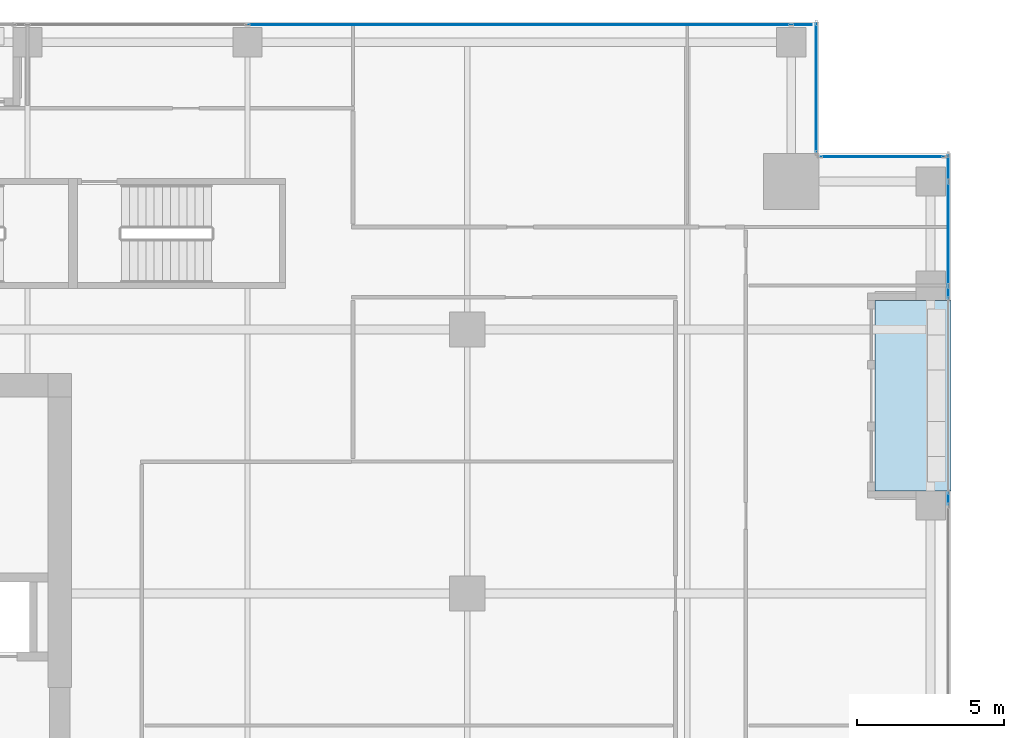
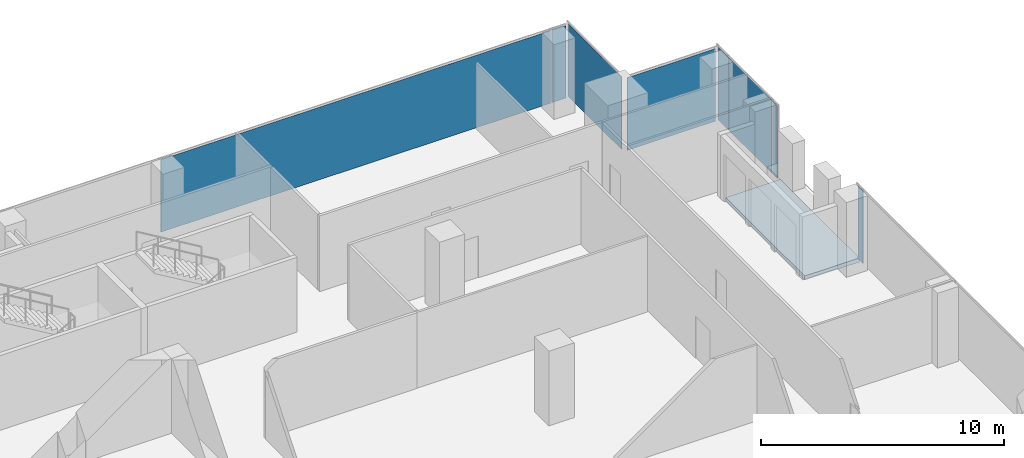
# One storey, part 33 of 40: 8 plates, 1 slab, 5 elements without a shape of their own.
"""IFC4 building model written with IfcOpenShell, lengths in metres."""

import ifcopenshell
import ifcopenshell.guid

model = None  # the IFC model being written
_history = None  # IfcOwnerHistory: only IFC2X3 demands one
_inside = {}  # id of a spatial element -> (the spatial element, [elements in it])
_under = {}  # id of a project, library or spatial element -> (it, [spatial elements below it])
_declared = {}  # id of a project -> (the project, [libraries it declares])
_typed = {}  # id of a type object -> (the type object, [elements of that type])
_made_of = {}  # id of a material, layer set ... -> (it, [elements and type objects made of it])


def new_model(schema):
    """Start an empty IFC model of exactly this schema.

    Asked for "IFC4X3", IfcOpenShell would pick the latest addendum, in which some entities
    have other attributes; the version numbers below select the first issue.
    IFC2X3 requires an IfcOwnerHistory on every rooted entity: one is made here for all.
    """
    global model, _history
    if schema == "IFC4X3":
        model = ifcopenshell.file(schema_version=(4, 3, 0, 0))
    else:
        model = ifcopenshell.file(schema=schema)
    _inside.clear()
    _under.clear()
    _declared.clear()
    _typed.clear()
    _made_of.clear()
    _history = None
    if model.schema == "IFC2X3":
        org = make("IfcOrganization", Name="unknown")
        user = make(
            "IfcPersonAndOrganization",
            ThePerson=make("IfcPerson", FamilyName="unknown"),
            TheOrganization=org,
        )
        app = make(
            "IfcApplication",
            ApplicationDeveloper=org,
            Version="unknown",
            ApplicationFullName="unknown",
            ApplicationIdentifier="unknown",
        )
        _history = make(
            "IfcOwnerHistory",
            OwningUser=user,
            OwningApplication=app,
            ChangeAction="ADDED",
            CreationDate=0,
        )
    return model


def make(cls, **values):
    """One entity of the class cls with the attributes given. An attribute that is None is left unset."""
    return model.create_entity(
        cls, **{name: value for name, value in values.items() if value is not None}
    )


def rooted(cls, **values):
    """An entity with a GlobalId (a new one), such as an element, a storey or a relation."""
    return make(cls, GlobalId=ifcopenshell.guid.new(), OwnerHistory=_history, **values)


def si_unit(unit_type, name, prefix=None):
    """IfcSIUnit, for example si_unit("LENGTHUNIT", "METRE", prefix="MILLI")."""
    return make("IfcSIUnit", UnitType=unit_type, Prefix=prefix, Name=name)


def assignment(units):
    """IfcUnitAssignment: the units of a project."""
    return None if units is None else make("IfcUnitAssignment", Units=units)


def point(xyz):
    """IfcCartesianPoint."""
    return None if xyz is None else make("IfcCartesianPoint", Coordinates=xyz)


def direction(xyz):
    """IfcDirection."""
    return None if xyz is None else make("IfcDirection", DirectionRatios=xyz)


def frame(location, z_axis=None, x_axis=None):
    """IfcAxis2Placement3D, a coordinate frame: its origin and axes. An axis left out is left unset."""
    return make(
        "IfcAxis2Placement3D",
        Location=point(location),
        Axis=direction(z_axis),
        RefDirection=direction(x_axis),
    )


def frame_2d(location, x_axis=None):
    """IfcAxis2Placement2D, a coordinate frame in the plane: its origin and x axis."""
    return make(
        "IfcAxis2Placement2D", Location=point(location), RefDirection=direction(x_axis)
    )


def origin():
    """The frame at (0, 0, 0) with its axes left unset."""
    return frame((0.0, 0.0, 0.0))


def origin_2d():
    """The frame at (0, 0) in the plane with its x axis left unset."""
    return frame_2d((0.0, 0.0))


def place(relative_to, where):
    """IfcLocalPlacement: puts the frame where relative to a parent placement (None: the world)."""
    return make(
        "IfcLocalPlacement", PlacementRelTo=relative_to, RelativePlacement=where
    )


def context(
    kind, dimensions, precision=None, world=None, true_north=None, identifier=None
):
    """IfcGeometricRepresentationContext, for example the 3D "Model" context."""
    return make(
        "IfcGeometricRepresentationContext",
        ContextIdentifier=identifier,
        ContextType=kind,
        CoordinateSpaceDimension=dimensions,
        Precision=precision,
        WorldCoordinateSystem=world,
        TrueNorth=true_north,
    )


def subcontext(parent, identifier, kind, view, scale=None):
    """IfcGeometricRepresentationSubContext, for example "Body" below "Model"."""
    return make(
        "IfcGeometricRepresentationSubContext",
        ContextIdentifier=identifier,
        ContextType=kind,
        ParentContext=parent,
        TargetScale=scale,
        TargetView=view,
    )


def project(units=None, contexts=None):
    """IfcProject with its units and contexts."""
    return rooted(
        "IfcProject",
        Name="project",
        RepresentationContexts=contexts,
        UnitsInContext=assignment(units),
    )


def spatial(cls, under=None, at=None, **own):
    """A site, building, storey or space (cls), placed at a placement, below another one or the project."""
    s = rooted(cls, ObjectPlacement=at, **own)
    if under is not None:
        _under.setdefault(under.id(), (under, []))[1].append(s)
    return s


def polyline(points):
    """IfcPolyline through the points."""
    return make("IfcPolyline", Points=[point(p) for p in points])


def profile(cls, at=None, kind="AREA", **sizes):
    """A parametric profile (cls). Its sizes go by their IFC names, for example OverallWidth=200.0."""
    return make(cls, ProfileType=kind, Position=at, **sizes)


def rectangle(**sizes):
    """IfcRectangleProfileDef."""
    return profile("IfcRectangleProfileDef", **sizes)


def outline(outer, holes=None, kind="AREA"):
    """IfcArbitraryClosedProfileDef: a profile drawn as a closed curve; with holes, ...WithVoids."""
    if holes is None:
        return make("IfcArbitraryClosedProfileDef", ProfileType=kind, OuterCurve=outer)
    return make(
        "IfcArbitraryProfileDefWithVoids",
        ProfileType=kind,
        OuterCurve=outer,
        InnerCurves=holes,
    )


def extrude(swept, where, along, depth):
    """IfcExtrudedAreaSolid: the profile swept, set in the frame where, extruded along a direction by depth."""
    return make(
        "IfcExtrudedAreaSolid",
        SweptArea=swept,
        Position=where,
        ExtrudedDirection=direction(along),
        Depth=depth,
    )


def shape(context_of_items, identifier, shape_type, items):
    """IfcShapeRepresentation: the items that make up one representation, for example the "Body"."""
    return make(
        "IfcShapeRepresentation",
        ContextOfItems=context_of_items,
        RepresentationIdentifier=identifier,
        RepresentationType=shape_type,
        Items=items,
    )


def source(mapping_origin, context_of_items, identifier, shape_type, items):
    """IfcRepresentationMap: a shape defined once, which mapped items show again and again."""
    return make(
        "IfcRepresentationMap",
        MappingOrigin=mapping_origin,
        MappedRepresentation=shape(context_of_items, identifier, shape_type, items),
    )


def transform(
    local_origin,
    x_axis=None,
    y_axis=None,
    z_axis=None,
    scale=None,
    scale2=None,
    scale3=None,
    uniform=True,
):
    """IfcCartesianTransformationOperator3D, or its non-uniform kind. x_axis, y_axis, z_axis: its Axis1, 2, 3."""
    if uniform:
        return make(
            "IfcCartesianTransformationOperator3D",
            Axis1=direction(x_axis),
            Axis2=direction(y_axis),
            LocalOrigin=point(local_origin),
            Scale=scale,
            Axis3=direction(z_axis),
        )
    return make(
        "IfcCartesianTransformationOperator3DnonUniform",
        Axis1=direction(x_axis),
        Axis2=direction(y_axis),
        LocalOrigin=point(local_origin),
        Scale=scale,
        Axis3=direction(z_axis),
        Scale2=scale2,
        Scale3=scale3,
    )


def mapped(mapping_source, mapping_target):
    """IfcMappedItem: shows the shape of a source again, moved by a transform."""
    return make(
        "IfcMappedItem", MappingSource=mapping_source, MappingTarget=mapping_target
    )


def material(Name=None, Category=None):
    """IfcMaterial."""
    return make("IfcMaterial", Name=Name, Category=Category)


def layer(
    of_material, thickness, ventilated=None, Name=None, Category=None, Priority=None
):
    """IfcMaterialLayer: one layer of a wall or slab, of a material (None: an air gap)."""
    return make(
        "IfcMaterialLayer",
        Material=of_material,
        LayerThickness=thickness,
        IsVentilated=ventilated,
        Name=Name,
        Category=Category,
        Priority=Priority,
    )


def layer_set(layers, Name=None):
    """IfcMaterialLayerSet."""
    return make("IfcMaterialLayerSet", MaterialLayers=layers, LayerSetName=Name)


def made_of(thing, what):
    """Note that an element or type object is made of a material, layer set ...; save() writes the relation."""
    if what is not None:
        _made_of.setdefault(what.id(), (what, []))[1].append(thing)
    return thing


def type_object(cls, material=None, **own):
    """A type object (cls), such as IfcWallType, which elements share."""
    return made_of(rooted(cls, **own), material)


def element(
    cls,
    number,
    at=None,
    inside=None,
    cuts=None,
    type_object=None,
    material=None,
    context=None,
    identifier="Body",
    shape_type=None,
    held_by="IfcProductDefinitionShape",
    body=None,
    shapes=None,
    **own,
):
    """One element of the class cls, such as IfcWall. Its Tag is "e" and its number.

    at: its placement. inside: the storey or other place that contains it. cuts: it is an
    opening in that element (IfcRelVoidsElement). A single representation is given by context,
    identifier, shape_type and body (its items); several are given by shapes. held_by: the class
    of the entity that holds the representations. save() writes the other relations.
    """
    e = rooted(cls, Tag="e%d" % number, ObjectPlacement=at, **own)
    if body is not None:
        shapes = [shape(context, identifier, shape_type, body)]
    if shapes is not None:
        e.Representation = make(held_by, Representations=shapes)
    if inside is not None:
        _inside.setdefault(inside.id(), (inside, []))[1].append(e)
    if cuts is not None:
        rooted(
            "IfcRelVoidsElement", RelatingBuildingElement=cuts, RelatedOpeningElement=e
        )
    if type_object is not None:
        _typed.setdefault(type_object.id(), (type_object, []))[1].append(e)
    return made_of(e, material)


def aggregate(whole, parts):
    """IfcRelAggregates: a whole, such as a stair, and the parts it consists of."""
    return rooted("IfcRelAggregates", RelatingObject=whole, RelatedObjects=parts)


def save(model, path):
    """Write the relations noted so far, then the file.

    IfcRelAggregates (storeys below a building ...), IfcRelContainedInSpatialStructure (elements
    in a storey), IfcRelDefinesByType, IfcRelAssociatesMaterial and IfcRelDeclares: one each for
    every whole, place, type object, material and project.
    """
    for whole, parts in _under.values():
        aggregate(whole, parts)
    for where, things in _inside.values():
        rooted(
            "IfcRelContainedInSpatialStructure",
            RelatedElements=things,
            RelatingStructure=where,
        )
    for kind, things in _typed.values():
        rooted("IfcRelDefinesByType", RelatedObjects=things, RelatingType=kind)
    for what, things in _made_of.values():
        rooted("IfcRelAssociatesMaterial", RelatedObjects=things, RelatingMaterial=what)
    for by, libraries in _declared.values():
        rooted("IfcRelDeclares", RelatingContext=by, RelatedDefinitions=libraries)
    model.write(path)


model = new_model("IFC4")

# Units and contexts
model_context = context("Model", 3, precision=1e-05, world=origin(), true_north=direction((0.0, 1.0)))
body_context = subcontext(model_context, "Body", "Model", "MODEL_VIEW")
ifc_project = project(units=[si_unit("LENGTHUNIT", "METRE"), si_unit("AREAUNIT", "SQUARE_METRE"), si_unit("VOLUMEUNIT", "CUBIC_METRE"), si_unit("PLANEANGLEUNIT", "RADIAN"), si_unit("MASSUNIT", "GRAM", prefix="KILO")], contexts=[model_context])

# Site, building, storey
site_placement = place(None, origin())
site = spatial("IfcSite", under=ifc_project, at=site_placement, CompositionType="ELEMENT")
building_placement = place(site_placement, origin())
building = spatial("IfcBuilding", under=site, at=building_placement, Name="Khomas Fold Tower", CompositionType="ELEMENT")
storey_placement = place(building_placement, frame((0.0, 0.0, 192.699951171875)))
storey = spatial("IfcBuildingStorey", under=building, at=storey_placement, Name="L42", CompositionType="ELEMENT", Elevation=192.699951171875)

# Curtain wall, plate
ifc_material_1 = material(Name="Aluminium framed double glazing", Category="aluminium")
curtain_wall_type = type_object("IfcCurtainWallType", Name="SK-Unitised clear-glass wall, office floors CW2", PredefinedType="NOTDEFINED", material=ifc_material_1)
curtain_wall_1_placement = place(storey_placement, origin())
curtain_wall_1 = element("IfcCurtainWall", 1, at=curtain_wall_1_placement, inside=storey, type_object=curtain_wall_type, Name="CW2 corner return L42 05", PredefinedType="NOTDEFINED")
ifc_material_2 = material(Name="Clear double glazed unit")
ifc_layer_1 = layer(ifc_material_2, 0.030029296875)
ifc_layer_set_1 = layer_set([ifc_layer_1], Name="Clear double glazed unit")
plate_type = type_object("IfcPlateType", Name="SK-Unitised clear-glass wall, office floors glass panel CW2-P", PredefinedType="CURTAIN_PANEL", material=ifc_layer_set_1)
shared_shape_1 = source(origin(), body_context, "Body", "SweptSolid", [
    extrude(rectangle(XDim=4.3798828125, YDim=0.030029296875, at=origin_2d()), origin(), (0.0, 0.0, 1.0), 3.639892578125),
])
plate_1_placement = place(storey_placement, frame((46.39990234375, 48.75, 0.0), z_axis=(0.0, 0.0, 1.0), x_axis=(0.0, 1.0, 0.0)))
plate_1 = element("IfcPlate", 2, at=plate_1_placement, type_object=plate_type, Name="CW2 glass panel 1", PredefinedType="CURTAIN_PANEL", context=body_context, shape_type="MappedRepresentation", body=[
    mapped(shared_shape_1, transform((0.0, 0.0, 0.0))),
])
aggregate(curtain_wall_1, [plate_1])

curtain_wall_2_placement = place(storey_placement, origin())
curtain_wall_2 = element("IfcCurtainWall", 3, at=curtain_wall_2_placement, inside=storey, type_object=curtain_wall_type, Name="CW2 run L42 06-0", PredefinedType="NOTDEFINED")
shared_shape_2 = source(origin(), body_context, "Body", "SweptSolid", [
    extrude(rectangle(XDim=0.659912109375, YDim=0.030029296875, at=origin_2d()), origin(), (0.0, 0.0, 1.0), 3.639892578125),
])
plate_2_placement = place(storey_placement, frame((45.909912109375, 50.89990234375, 0.0), z_axis=(0.0, 0.0, 1.0), x_axis=(-1.0, 0.0, 0.0)))
plate_2 = element("IfcPlate", 4, at=plate_2_placement, type_object=plate_type, Name="CW2 glass panel 1", PredefinedType="CURTAIN_PANEL", context=body_context, shape_type="MappedRepresentation", body=[
    mapped(shared_shape_2, transform((0.0, 0.0, 0.0))),
])

curtain_wall_3_placement = place(storey_placement, origin())
curtain_wall_3 = element("IfcCurtainWall", 5, at=curtain_wall_3_placement, inside=storey, type_object=curtain_wall_type, Name="CW2 run L42 03-1", PredefinedType="NOTDEFINED")
shared_shape_3 = source(origin(), body_context, "Body", "SweptSolid", [
    extrude(rectangle(XDim=3.489990234375, YDim=0.030029296875, at=origin_2d()), origin(), (0.0, 0.0, 1.0), 3.639892578125),
])
plate_3_placement = place(storey_placement, frame((50.89990234375, 43.77490234375, 0.0), z_axis=(0.0, 0.0, 1.0), x_axis=(0.0, 1.0, 0.0)))
plate_3 = element("IfcPlate", 6, at=plate_3_placement, type_object=plate_type, Name="CW2 glass panel 2", PredefinedType="CURTAIN_PANEL", context=body_context, shape_type="MappedRepresentation", body=[
    mapped(shared_shape_3, transform((0.0, 0.0, 0.0))),
])

curtain_wall_4_placement = place(storey_placement, origin())
curtain_wall_4 = element("IfcCurtainWall", 7, at=curtain_wall_4_placement, inside=storey, type_object=curtain_wall_type, Name="CW2 corner return L42 04", PredefinedType="NOTDEFINED")
shared_shape_4 = source(origin(), body_context, "Body", "SweptSolid", [
    extrude(rectangle(XDim=4.179931640625, YDim=0.030029296875, at=origin_2d()), origin(), (0.0, 0.0, 1.0), 3.639892578125),
])
plate_4_placement = place(storey_placement, frame((48.64990234375, 46.39990234375, 0.0), z_axis=(0.0, 0.0, 1.0), x_axis=(-1.0, 0.0, 0.0)))
plate_4 = element("IfcPlate", 8, at=plate_4_placement, type_object=plate_type, Name="CW2 glass panel 1", PredefinedType="CURTAIN_PANEL", context=body_context, shape_type="MappedRepresentation", body=[
    mapped(shared_shape_4, transform((0.0, 0.0, 0.0))),
])
aggregate(curtain_wall_4, [plate_4])

curtain_wall_5_placement = place(storey_placement, origin())
curtain_wall_5 = element("IfcCurtainWall", 9, at=curtain_wall_5_placement, inside=storey, type_object=curtain_wall_type, Name="CW2 run L42 03-0", PredefinedType="NOTDEFINED")
shared_shape_5 = source(origin(), body_context, "Body", "SweptSolid", [
    extrude(rectangle(XDim=0.409912109375, YDim=0.030029296875, at=origin_2d()), origin(), (0.0, 0.0, 1.0), 3.639892578125),
])
plate_5_placement = place(storey_placement, frame((50.89990234375, 34.735107421875, 0.0), z_axis=(0.0, 0.0, 1.0), x_axis=(0.0, 1.0, 0.0)))
plate_5 = element("IfcPlate", 10, at=plate_5_placement, type_object=plate_type, Name="CW2 glass panel 6", PredefinedType="CURTAIN_PANEL", context=body_context, shape_type="MappedRepresentation", body=[
    mapped(shared_shape_5, transform((0.0, 0.0, 0.0))),
])
aggregate(curtain_wall_5, [plate_5])

# Plate
plate_6_placement = place(storey_placement, frame((50.89990234375, 41.764892578125, 0.0), z_axis=(0.0, 0.0, 1.0), x_axis=(0.0, 1.0, 0.0)))
plate_6 = element("IfcPlate", 11, at=plate_6_placement, type_object=plate_type, Name="CW2 glass panel 1", PredefinedType="CURTAIN_PANEL", context=body_context, shape_type="MappedRepresentation", body=[
    mapped(shared_shape_5, transform((0.0, 0.0, 0.0))),
])

shared_shape_6 = source(origin(), body_context, "Body", "SweptSolid", [
    extrude(rectangle(XDim=0.860107421875, YDim=0.030029296875, at=origin_2d()), origin(), (0.0, 0.0, 1.0), 3.639892578125),
])
plate_7_placement = place(storey_placement, frame((50.89990234375, 46.010009765625, 0.0), z_axis=(0.0, 0.0, 1.0), x_axis=(0.0, 1.0, 0.0)))
plate_7 = element("IfcPlate", 12, at=plate_7_placement, type_object=plate_type, Name="CW2 glass panel 3", PredefinedType="CURTAIN_PANEL", context=body_context, shape_type="MappedRepresentation", body=[
    mapped(shared_shape_6, transform((0.0, 0.0, 0.0))),
])

aggregate(curtain_wall_3, [plate_6, plate_3, plate_7])

shared_shape_7 = source(origin(), body_context, "Body", "SweptSolid", [
    extrude(rectangle(XDim=18.489990234375, YDim=0.030029296875, at=origin_2d()), origin(), (0.0, 0.0, 1.0), 3.639892578125),
])
plate_8_placement = place(storey_placement, frame((36.27490234375, 50.89990234375, 0.0), z_axis=(0.0, 0.0, 1.0), x_axis=(-1.0, 0.0, 0.0)))
plate_8 = element("IfcPlate", 13, at=plate_8_placement, type_object=plate_type, Name="CW2 glass panel 2", PredefinedType="CURTAIN_PANEL", context=body_context, shape_type="MappedRepresentation", body=[
    mapped(shared_shape_7, transform((0.0, 0.0, 0.0))),
])

aggregate(curtain_wall_2, [plate_2, plate_8])

# Slab
ifc_material_3 = material(Name="Concrete C40/50", Category="concrete")
ifc_layer_2 = layer(ifc_material_3, 0.205078125)
ifc_layer_set_2 = layer_set([ifc_layer_2], Name="Concrete C40/50")
slab_type = type_object("IfcSlabType", Name="BL-Balcony deck 205", PredefinedType="FLOOR", material=ifc_layer_set_2)
shared_shape_8 = source(origin(), body_context, "Body", "SweptSolid", [
    extrude(outline(polyline([(48.39990234375, 35.0), (51.0, 35.0), (51.0, 41.5), (48.39990234375, 41.5), (48.39990234375, 35.0)])), origin(), (0.0, 0.0, 1.0), 0.205078125),
])
slab_placement = place(storey_placement, frame((0.0, 0.0, -0.25)))
element("IfcSlab", 14, at=slab_placement, inside=storey, type_object=slab_type, Name="Balcony deck BAL-L42-E4", PredefinedType="FLOOR", context=body_context, shape_type="MappedRepresentation", body=[
    mapped(shared_shape_8, transform((0.0, 0.0, 0.0))),
])

save(model, "model.ifc")
